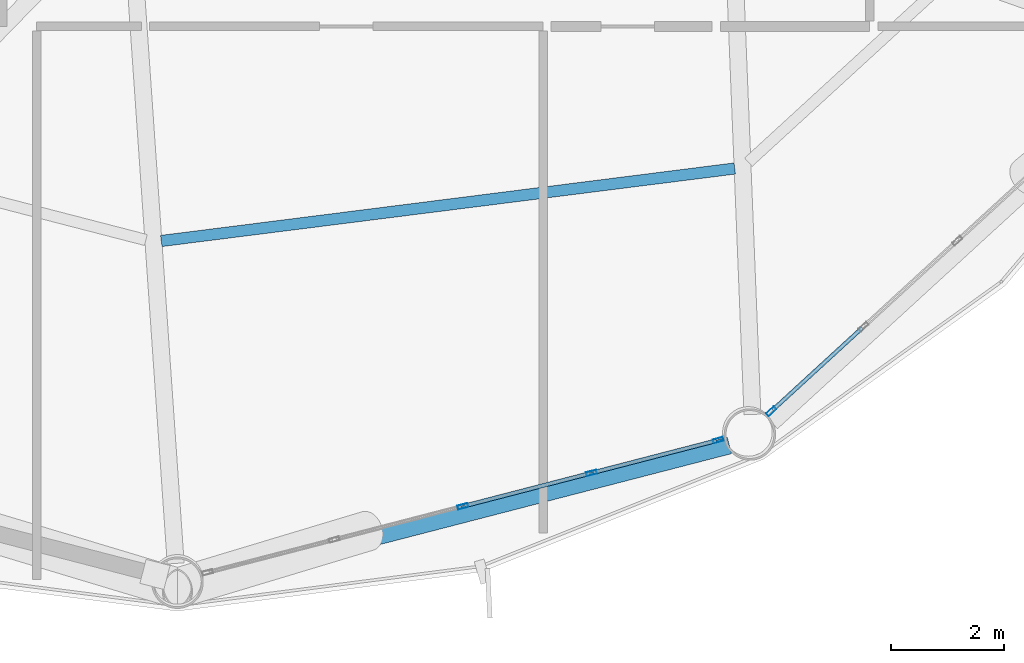
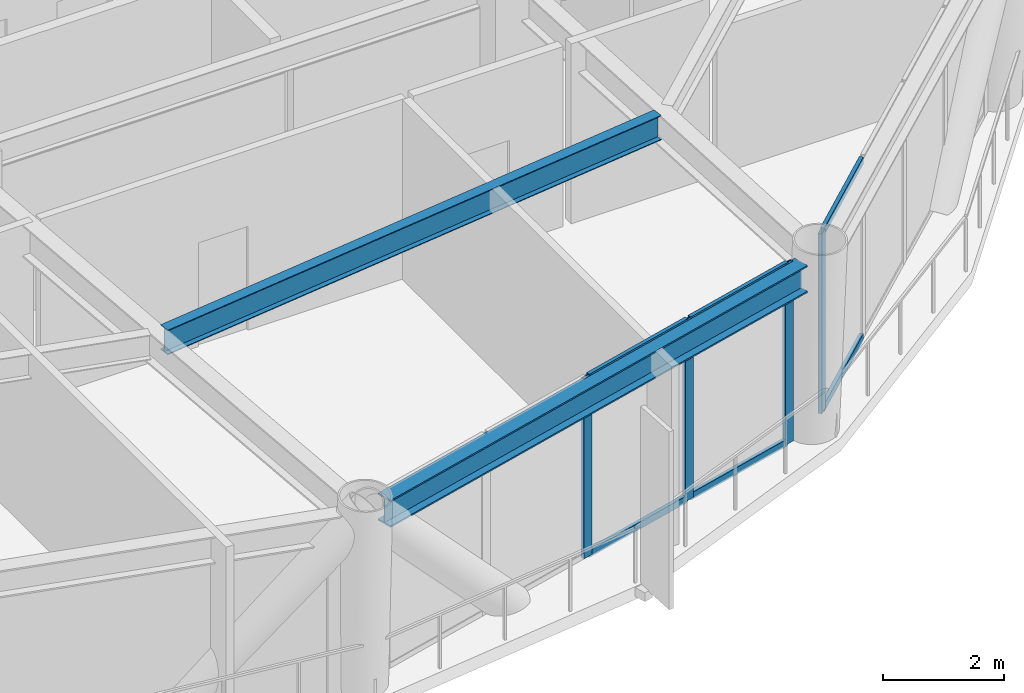
# One storey, part 8 of 25: 10 members, 2 beams, 2 elements without a shape of their own.
"""IFC4 building model written with IfcOpenShell, lengths in metres."""

from ifc_helpers import new_model, si_unit, direction, frame, origin, origin_2d, place, context, subcontext, project, spatial, hollow_rectangle, i_section, extrude, material, layer, layer_set, material_profile, profile_set, type_object, element, aggregate, save


model = new_model("IFC4")

# Units and contexts
model_context = context("Model", 3, precision=1e-05, world=origin(), true_north=direction((0.0, 1.0)))
body_context = subcontext(model_context, "Body", "Model", "MODEL_VIEW")
ifc_project = project(units=[si_unit("LENGTHUNIT", "METRE"), si_unit("AREAUNIT", "SQUARE_METRE"), si_unit("VOLUMEUNIT", "CUBIC_METRE"), si_unit("PLANEANGLEUNIT", "RADIAN"), si_unit("MASSUNIT", "GRAM", prefix="KILO")], contexts=[model_context])

# Site, building, storey
site_placement = place(None, origin())
site = spatial("IfcSite", under=ifc_project, at=site_placement, CompositionType="ELEMENT")
building_placement = place(site_placement, origin())
building = spatial("IfcBuilding", under=site, at=building_placement, Name="Varnakorn Sky Granary", CompositionType="ELEMENT")
storey_placement = place(building_placement, frame((0.0, 0.0, 35.39990234375)))
storey = spatial("IfcBuildingStorey", under=building, at=storey_placement, Name="L08", CompositionType="ELEMENT", Elevation=35.39990234375)

# Beams
ifc_material_1 = material(Name="Steel S355JR", Category="steel")
ifc_material_profile_1 = material_profile(ifc_material_1, i_section(OverallWidth=0.199951171875, OverallDepth=0.5, WebThickness=0.01025390625, FlangeThickness=0.01611328125, at=origin_2d()), Name="IPE 500")
ifc_profile_set_1 = profile_set([ifc_material_profile_1], Name="Steel S355JR")
beam_type_1 = type_object("IfcBeamType", Name="BM-SEC-Z1", PredefinedType="BEAM", material=ifc_profile_set_1)
beam_1_placement = place(storey_placement, frame((-1.786865234375, -12.712890625, 3.39013671875), z_axis=(0.992105423747, 0.12540665123, 0.0), x_axis=(-0.12540665123, 0.992105423747, 0.0)))
element("IfcBeam", 1, at=beam_1_placement, inside=storey, type_object=beam_type_1, Name="Secondary Floor Chord Beam MSB10 L08", PredefinedType="BEAM", context=body_context, shape_type="SweptSolid", body=[
    extrude(i_section(OverallWidth=0.199951171875, OverallDepth=0.5, WebThickness=0.01025390625, FlangeThickness=0.01611328125, at=origin_2d()), origin(), (0.0, 0.0, 1.0), 10.271240234375),
])
ifc_material_profile_2 = material_profile(ifc_material_1, i_section(OverallWidth=0.300048828125, OverallDepth=0.550048828125, WebThickness=0.014892578125, FlangeThickness=0.029052734375, at=origin_2d()), Name="HE 550 B")
ifc_profile_set_2 = profile_set([ifc_material_profile_2], Name="Steel S355JR")
beam_type_2 = type_object("IfcBeamType", Name="BM-SPD-Z1", PredefinedType="SPANDREL", material=ifc_profile_set_2)
beam_2_placement = place(storey_placement, frame((-1.072021484375, -18.772216796875, 3.364990234375), z_axis=(0.968158811883, 0.250336803073, 0.0), x_axis=(-0.250336803073, 0.968158811883, 0.0)))
element("IfcBeam", 2, at=beam_2_placement, inside=storey, type_object=beam_type_2, Name="Perimeter Spandrel Ring Beam RB10 L08", PredefinedType="SPANDREL", context=body_context, shape_type="SweptSolid", body=[
    extrude(i_section(OverallWidth=0.300048828125, OverallDepth=0.550048828125, WebThickness=0.014892578125, FlangeThickness=0.029052734375, at=origin_2d()), origin(), (0.0, 0.0, 1.0), 9.688232421875),
])

# Curtain wall, members
ifc_material_2 = material(Name="Anodised Bronze Aluminium Alloy 6063-T6", Category="aluminium")
ifc_layer = layer(ifc_material_2, 0.18994140625, Name="Anodised Bronze Aluminium Alloy 6063-T6")
ifc_layer_set = layer_set([ifc_layer], Name="Anodised Bronze Aluminium Alloy 6063-T6")
curtain_wall_type = type_object("IfcCurtainWallType", Name="CW-FRM-1", PredefinedType="USERDEFINED", material=ifc_layer_set)
curtain_wall_1_placement = place(storey_placement, origin())
curtain_wall_1 = element("IfcCurtainWall", 3, at=curtain_wall_1_placement, inside=storey, type_object=curtain_wall_type, Name="Unitised Curtain Wall CW3 CW-L08-B10", ObjectType="CURTAIN WALL", PredefinedType="USERDEFINED")
ifc_material_profile_3 = material_profile(ifc_material_2, hollow_rectangle(XDim=0.070068359375, YDim=0.18505859375, WallThickness=0.00390625, at=origin_2d()), Name="ALU MULL 70x185")
ifc_profile_set_3 = profile_set([ifc_material_profile_3], Name="Anodised Bronze Aluminium Alloy 6063-T6")
member_type_1 = type_object("IfcMemberType", Name="CW-FRM-1-MULL", PredefinedType="MULLION", material=ifc_profile_set_3)
member_1_placement = place(storey_placement, frame((8.110107421875, -16.251708984375, 0.0), z_axis=(0.0, 0.0, 1.0), x_axis=(0.250760069357, -0.968049269209, 0.0)))
member_1 = element("IfcMember", 4, at=member_1_placement, type_object=member_type_1, Name="CW3 mullion 1", PredefinedType="MULLION", context=body_context, shape_type="SweptSolid", body=[
    extrude(hollow_rectangle(XDim=0.070068359375, YDim=0.18505859375, WallThickness=0.00390625, at=origin_2d()), origin(), (0.0, 0.0, 1.0), 3.64013671875),
])
member_2_placement = place(storey_placement, frame((5.858154296875, -16.8349609375, 0.0), z_axis=(0.0, 0.0, 1.0), x_axis=(0.250760069357, -0.968049269209, 0.0)))
member_2 = element("IfcMember", 5, at=member_2_placement, type_object=member_type_1, Name="CW3 mullion 2", PredefinedType="MULLION", context=body_context, shape_type="SweptSolid", body=[
    extrude(hollow_rectangle(XDim=0.070068359375, YDim=0.18505859375, WallThickness=0.00390625, at=origin_2d()), origin(), (0.0, 0.0, 1.0), 3.64013671875),
])
member_3_placement = place(storey_placement, frame((3.572265625, -17.42724609375, 0.0), z_axis=(0.0, 0.0, 1.0), x_axis=(0.250760069357, -0.968049269209, 0.0)))
member_3 = element("IfcMember", 6, at=member_3_placement, type_object=member_type_1, Name="CW3 mullion 3", PredefinedType="MULLION", context=body_context, shape_type="SweptSolid", body=[
    extrude(hollow_rectangle(XDim=0.070068359375, YDim=0.18505859375, WallThickness=0.00390625, at=origin_2d()), origin(), (0.0, 0.0, 1.0), 3.64013671875),
])

# Curtain wall, member
curtain_wall_2_placement = place(storey_placement, origin())
curtain_wall_2 = element("IfcCurtainWall", 7, at=curtain_wall_2_placement, inside=storey, type_object=curtain_wall_type, Name="Unitised Curtain Wall CW3 CW-L08-B11", ObjectType="CURTAIN WALL", PredefinedType="USERDEFINED")
member_4_placement = place(storey_placement, frame((9.05126953125, -15.740234375, 0.0), z_axis=(0.0, 0.0, 1.0), x_axis=(0.675878356504, -0.737013193375, 0.0)))
member_4 = element("IfcMember", 8, at=member_4_placement, type_object=member_type_1, Name="CW3 mullion 5", PredefinedType="MULLION", context=body_context, shape_type="SweptSolid", body=[
    extrude(hollow_rectangle(XDim=0.070068359375, YDim=0.18505859375, WallThickness=0.00390625, at=origin_2d()), origin(), (0.0, 0.0, 1.0), 3.64013671875),
])

# Member
ifc_material_profile_4 = material_profile(ifc_material_2, hollow_rectangle(XDim=0.070068359375, YDim=0.139892578125, WallThickness=0.00341796875, at=origin_2d()), Name="ALU TRAN 70x140")
ifc_profile_set_4 = profile_set([ifc_material_profile_4], Name="Anodised Bronze Aluminium Alloy 6063-T6")
member_type_2 = type_object("IfcMemberType", Name="CW-FRM-1-TRAN", PredefinedType="USERDEFINED", material=ifc_profile_set_4)
member_5_placement = place(storey_placement, frame((8.076171875, -16.260498046875, 0.03515625), z_axis=(-0.96805820753, -0.250725560792, 0.0), x_axis=(0.250725560792, -0.96805820753, 0.0)))
member_5 = element("IfcMember", 9, at=member_5_placement, type_object=member_type_2, Name="CW3 transom 1.1", ObjectType="TRANSOM", PredefinedType="USERDEFINED", context=body_context, shape_type="SweptSolid", body=[
    extrude(hollow_rectangle(XDim=0.070068359375, YDim=0.139892578125, WallThickness=0.00341796875, at=origin_2d()), origin(), (0.0, 0.0, 1.0), 2.256103515625),
])

member_6_placement = place(storey_placement, frame((8.076171875, -16.260498046875, 3.60498046875), z_axis=(-0.96805820753, -0.250725560792, 0.0), x_axis=(0.250725560792, -0.96805820753, 0.0)))
member_6 = element("IfcMember", 10, at=member_6_placement, type_object=member_type_2, Name="CW3 transom 1.2", ObjectType="TRANSOM", PredefinedType="USERDEFINED", context=body_context, shape_type="SweptSolid", body=[
    extrude(hollow_rectangle(XDim=0.070068359375, YDim=0.139892578125, WallThickness=0.00341796875, at=origin_2d()), origin(), (0.0, 0.0, 1.0), 2.256103515625),
])

member_7_placement = place(storey_placement, frame((5.82421875, -16.84375, 0.03515625), z_axis=(-0.96803236045, -0.250825335883, 0.0), x_axis=(0.250825335883, -0.96803236045, 0.0)))
member_7 = element("IfcMember", 11, at=member_7_placement, type_object=member_type_2, Name="CW3 transom 2.1", ObjectType="TRANSOM", PredefinedType="USERDEFINED", context=body_context, shape_type="SweptSolid", body=[
    extrude(hollow_rectangle(XDim=0.070068359375, YDim=0.139892578125, WallThickness=0.00341796875, at=origin_2d()), origin(), (0.0, 0.0, 1.0), 2.291259765625),
])

member_8_placement = place(storey_placement, frame((5.82421875, -16.84375, 3.60498046875), z_axis=(-0.96803236045, -0.250825335883, 0.0), x_axis=(0.250825335883, -0.96803236045, 0.0)))
member_8 = element("IfcMember", 12, at=member_8_placement, type_object=member_type_2, Name="CW3 transom 2.2", ObjectType="TRANSOM", PredefinedType="USERDEFINED", context=body_context, shape_type="SweptSolid", body=[
    extrude(hollow_rectangle(XDim=0.070068359375, YDim=0.139892578125, WallThickness=0.00341796875, at=origin_2d()), origin(), (0.0, 0.0, 1.0), 2.291259765625),
])

aggregate(curtain_wall_1, [member_1, member_2, member_3, member_5, member_6, member_7, member_8])

member_9_placement = place(storey_placement, frame((10.665771484375, -14.259765625, 0.03515625), z_axis=(-0.737027182872, -0.675863101306, 0.0), x_axis=(0.675863101306, -0.737027182872, 0.0)))
member_9 = element("IfcMember", 13, at=member_9_placement, type_object=member_type_2, Name="CW3 transom 4.1", ObjectType="TRANSOM", PredefinedType="USERDEFINED", context=body_context, shape_type="SweptSolid", body=[
    extrude(hollow_rectangle(XDim=0.070068359375, YDim=0.139892578125, WallThickness=0.00341796875, at=origin_2d()), origin(), (0.0, 0.0, 1.0), 2.155517578125),
])

member_10_placement = place(storey_placement, frame((10.665771484375, -14.259765625, 3.60498046875), z_axis=(-0.737027182872, -0.675863101306, 0.0), x_axis=(0.675863101306, -0.737027182872, 0.0)))
member_10 = element("IfcMember", 14, at=member_10_placement, type_object=member_type_2, Name="CW3 transom 4.2", ObjectType="TRANSOM", PredefinedType="USERDEFINED", context=body_context, shape_type="SweptSolid", body=[
    extrude(hollow_rectangle(XDim=0.070068359375, YDim=0.139892578125, WallThickness=0.00341796875, at=origin_2d()), origin(), (0.0, 0.0, 1.0), 2.155517578125),
])

aggregate(curtain_wall_2, [member_4, member_9, member_10])

save(model, "model.ifc")
